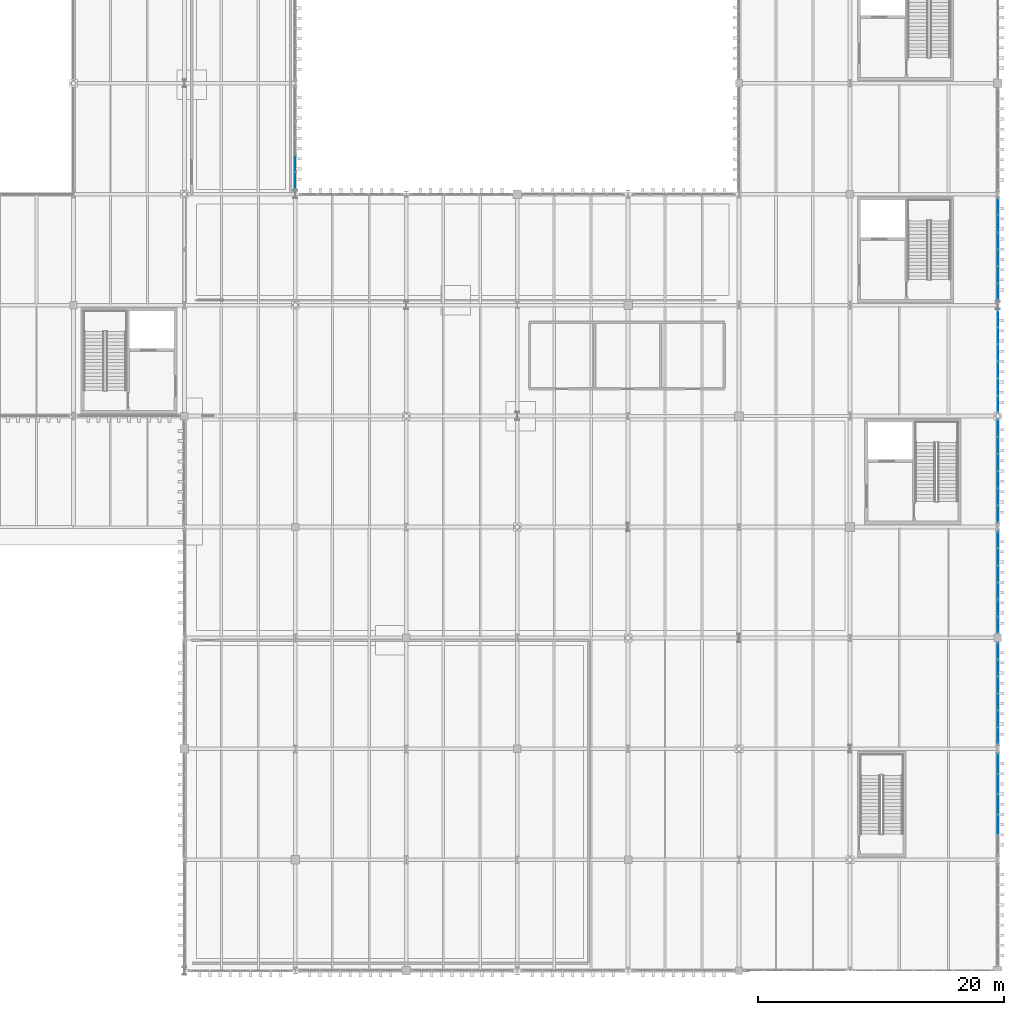
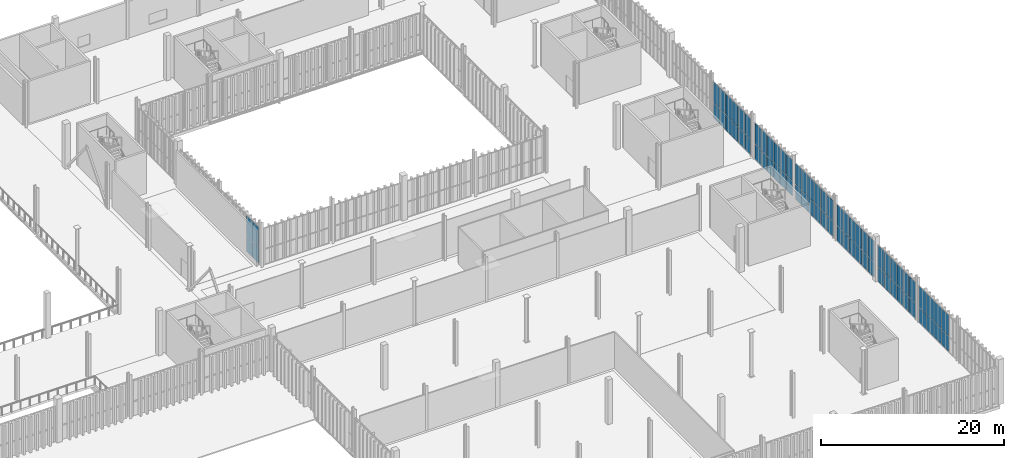
# One storey, part 162 of 211: 72 plates, 7 elements without a shape of their own.
"""IFC4 building model written with IfcOpenShell, lengths in metres."""

from ifc_helpers import new_model, si_unit, direction, frame, origin, origin_2d, place, context, subcontext, project, spatial, rectangle, extrude, material, layer, layer_set, type_object, element, aggregate, save


model = new_model("IFC4")

# Units and contexts
model_context = context("Model", 3, precision=1e-05, world=origin(), true_north=direction((0.0, 1.0)))
body_context = subcontext(model_context, "Body", "Model", "MODEL_VIEW")
ifc_project = project(units=[si_unit("LENGTHUNIT", "METRE"), si_unit("AREAUNIT", "SQUARE_METRE"), si_unit("VOLUMEUNIT", "CUBIC_METRE"), si_unit("PLANEANGLEUNIT", "RADIAN"), si_unit("MASSUNIT", "GRAM", prefix="KILO")], contexts=[model_context])

# Site, building, storey
site_placement = place(None, origin())
site = spatial("IfcSite", under=ifc_project, at=site_placement, CompositionType="ELEMENT")
building_placement = place(site_placement, origin())
building = spatial("IfcBuilding", under=site, at=building_placement, Name="Barlavento Convention Centre", CompositionType="ELEMENT")
storey_placement = place(building_placement, frame((0.0, 0.0, 6.0)))
storey = spatial("IfcBuildingStorey", under=building, at=storey_placement, Name="L01", CompositionType="ELEMENT", Elevation=6.0)

# Curtain wall, plates
ifc_material_1 = material(Name="Powder-coated aluminium and Low-E glass", Category="aluminium")
ifc_layer_1 = layer(ifc_material_1, 0.195068359375)
ifc_layer_set_1 = layer_set([ifc_layer_1], Name="ARC-CW-FOY-L01")
curtain_wall_type_1 = type_object("IfcCurtainWallType", Name="ARC-CW-FOY-L01", PredefinedType="NOTDEFINED", material=ifc_layer_set_1)
curtain_wall_1_placement = place(storey_placement, origin())
curtain_wall_1 = element("IfcCurtainWall", 1, at=curtain_wall_1_placement, inside=storey, type_object=curtain_wall_type_1, Name="L01 unitised curtain wall CW03", PredefinedType="NOTDEFINED")
ifc_material_2 = material(Name="Double-silver Low-E insulated glass", Category="glass")
ifc_layer_2 = layer(ifc_material_2, 0.028076171875)
ifc_layer_set_2 = layer_set([ifc_layer_2], Name="ARC-CWP-GLZ28")
plate_type = type_object("IfcPlateType", Name="ARC-CWP-GLZ28", PredefinedType="CURTAIN_PANEL", material=ifc_layer_set_2)
plate_1_placement = place(storey_placement, frame((192.0, 11.85498046875, 0.06005859375), z_axis=(0.0, 0.0, 1.0), x_axis=(0.0, 1.0, 0.0)))
plate_1 = element("IfcPlate", 2, at=plate_1_placement, type_object=plate_type, Name="CW03 panel 2.1", PredefinedType="CURTAIN_PANEL", context=body_context, shape_type="SweptSolid", body=[
    extrude(rectangle(XDim=1.590087890625, YDim=0.028076171875, at=origin_2d()), origin(), (0.0, 0.0, 1.0), 2.010009765625),
])
plate_2_placement = place(storey_placement, frame((192.0, 11.85498046875, 2.1298828125), z_axis=(0.0, 0.0, 1.0), x_axis=(0.0, 1.0, 0.0)))
plate_2 = element("IfcPlate", 3, at=plate_2_placement, type_object=plate_type, Name="CW03 panel 2.2", PredefinedType="CURTAIN_PANEL", context=body_context, shape_type="SweptSolid", body=[
    extrude(rectangle(XDim=1.590087890625, YDim=0.028076171875, at=origin_2d()), origin(), (0.0, 0.0, 1.0), 2.760009765625),
])
plate_3_placement = place(storey_placement, frame((192.0, 13.5048828125, 0.06005859375), z_axis=(0.0, 0.0, 1.0), x_axis=(0.0, 1.0, 0.0)))
plate_3 = element("IfcPlate", 4, at=plate_3_placement, type_object=plate_type, Name="CW03 panel 3.1", PredefinedType="CURTAIN_PANEL", context=body_context, shape_type="SweptSolid", body=[
    extrude(rectangle(XDim=1.590087890625, YDim=0.028076171875, at=origin_2d()), origin(), (0.0, 0.0, 1.0), 2.010009765625),
])
plate_4_placement = place(storey_placement, frame((192.0, 13.5048828125, 2.1298828125), z_axis=(0.0, 0.0, 1.0), x_axis=(0.0, 1.0, 0.0)))
plate_4 = element("IfcPlate", 5, at=plate_4_placement, type_object=plate_type, Name="CW03 panel 3.2", PredefinedType="CURTAIN_PANEL", context=body_context, shape_type="SweptSolid", body=[
    extrude(rectangle(XDim=1.590087890625, YDim=0.028076171875, at=origin_2d()), origin(), (0.0, 0.0, 1.0), 2.760009765625),
])
plate_5_placement = place(storey_placement, frame((192.0, 15.155029296875, 0.06005859375), z_axis=(0.0, 0.0, 1.0), x_axis=(0.0, 1.0, 0.0)))
plate_5 = element("IfcPlate", 6, at=plate_5_placement, type_object=plate_type, Name="CW03 panel 4.1", PredefinedType="CURTAIN_PANEL", context=body_context, shape_type="SweptSolid", body=[
    extrude(rectangle(XDim=1.590087890625, YDim=0.028076171875, at=origin_2d()), origin(), (0.0, 0.0, 1.0), 2.010009765625),
])
plate_6_placement = place(storey_placement, frame((192.0, 15.155029296875, 2.1298828125), z_axis=(0.0, 0.0, 1.0), x_axis=(0.0, 1.0, 0.0)))
plate_6 = element("IfcPlate", 7, at=plate_6_placement, type_object=plate_type, Name="CW03 panel 4.2", PredefinedType="CURTAIN_PANEL", context=body_context, shape_type="SweptSolid", body=[
    extrude(rectangle(XDim=1.590087890625, YDim=0.028076171875, at=origin_2d()), origin(), (0.0, 0.0, 1.0), 2.760009765625),
])
plate_7_placement = place(storey_placement, frame((192.0, 16.7900390625, 0.06005859375), z_axis=(0.0, 0.0, 1.0), x_axis=(0.0, 1.0, 0.0)))
plate_7 = element("IfcPlate", 8, at=plate_7_placement, type_object=plate_type, Name="CW03 panel 5.1", PredefinedType="CURTAIN_PANEL", context=body_context, shape_type="SweptSolid", body=[
    extrude(rectangle(XDim=1.56005859375, YDim=0.028076171875, at=origin_2d()), origin(), (0.0, 0.0, 1.0), 2.010009765625),
])
plate_8_placement = place(storey_placement, frame((192.0, 16.7900390625, 2.1298828125), z_axis=(0.0, 0.0, 1.0), x_axis=(0.0, 1.0, 0.0)))
plate_8 = element("IfcPlate", 9, at=plate_8_placement, type_object=plate_type, Name="CW03 panel 5.2", PredefinedType="CURTAIN_PANEL", context=body_context, shape_type="SweptSolid", body=[
    extrude(rectangle(XDim=1.56005859375, YDim=0.028076171875, at=origin_2d()), origin(), (0.0, 0.0, 1.0), 2.760009765625),
])
aggregate(curtain_wall_1, [plate_1, plate_2, plate_3, plate_4, plate_5, plate_6, plate_7, plate_8])

curtain_wall_2_placement = place(storey_placement, origin())
curtain_wall_2 = element("IfcCurtainWall", 10, at=curtain_wall_2_placement, inside=storey, type_object=curtain_wall_type_1, Name="L01 unitised curtain wall CW03", PredefinedType="NOTDEFINED")
plate_9_placement = place(storey_placement, frame((192.0, 19.0732421875, 0.06005859375), z_axis=(0.0, 0.0, 1.0), x_axis=(0.0, 1.0, 0.0)))
plate_9 = element("IfcPlate", 11, at=plate_9_placement, type_object=plate_type, Name="CW03 panel 1.1", PredefinedType="CURTAIN_PANEL", context=body_context, shape_type="SweptSolid", body=[
    extrude(rectangle(XDim=1.28662109375, YDim=0.028076171875, at=origin_2d()), origin(), (0.0, 0.0, 1.0), 2.010009765625),
])
plate_10_placement = place(storey_placement, frame((192.0, 19.0732421875, 2.1298828125), z_axis=(0.0, 0.0, 1.0), x_axis=(0.0, 1.0, 0.0)))
plate_10 = element("IfcPlate", 12, at=plate_10_placement, type_object=plate_type, Name="CW03 panel 1.2", PredefinedType="CURTAIN_PANEL", context=body_context, shape_type="SweptSolid", body=[
    extrude(rectangle(XDim=1.28662109375, YDim=0.028076171875, at=origin_2d()), origin(), (0.0, 0.0, 1.0), 2.760009765625),
])
plate_11_placement = place(storey_placement, frame((192.0, 20.43505859375, 0.06005859375), z_axis=(0.0, 0.0, 1.0), x_axis=(0.0, 1.0, 0.0)))
plate_11 = element("IfcPlate", 13, at=plate_11_placement, type_object=plate_type, Name="CW03 panel 2.1", PredefinedType="CURTAIN_PANEL", context=body_context, shape_type="SweptSolid", body=[
    extrude(rectangle(XDim=1.316650390625, YDim=0.028076171875, at=origin_2d()), origin(), (0.0, 0.0, 1.0), 2.010009765625),
])
plate_12_placement = place(storey_placement, frame((192.0, 20.43505859375, 2.1298828125), z_axis=(0.0, 0.0, 1.0), x_axis=(0.0, 1.0, 0.0)))
plate_12 = element("IfcPlate", 14, at=plate_12_placement, type_object=plate_type, Name="CW03 panel 2.2", PredefinedType="CURTAIN_PANEL", context=body_context, shape_type="SweptSolid", body=[
    extrude(rectangle(XDim=1.316650390625, YDim=0.028076171875, at=origin_2d()), origin(), (0.0, 0.0, 1.0), 2.760009765625),
])
plate_13_placement = place(storey_placement, frame((192.0, 21.811767578125, 0.06005859375), z_axis=(0.0, 0.0, 1.0), x_axis=(0.0, 1.0, 0.0)))
plate_13 = element("IfcPlate", 15, at=plate_13_placement, type_object=plate_type, Name="CW03 panel 3.1", PredefinedType="CURTAIN_PANEL", context=body_context, shape_type="SweptSolid", body=[
    extrude(rectangle(XDim=1.316650390625, YDim=0.028076171875, at=origin_2d()), origin(), (0.0, 0.0, 1.0), 2.010009765625),
])
plate_14_placement = place(storey_placement, frame((192.0, 21.811767578125, 2.1298828125), z_axis=(0.0, 0.0, 1.0), x_axis=(0.0, 1.0, 0.0)))
plate_14 = element("IfcPlate", 16, at=plate_14_placement, type_object=plate_type, Name="CW03 panel 3.2", PredefinedType="CURTAIN_PANEL", context=body_context, shape_type="SweptSolid", body=[
    extrude(rectangle(XDim=1.316650390625, YDim=0.028076171875, at=origin_2d()), origin(), (0.0, 0.0, 1.0), 2.760009765625),
])
plate_15_placement = place(storey_placement, frame((192.0, 23.188232421875, 0.06005859375), z_axis=(0.0, 0.0, 1.0), x_axis=(0.0, 1.0, 0.0)))
plate_15 = element("IfcPlate", 17, at=plate_15_placement, type_object=plate_type, Name="CW03 panel 4.1", PredefinedType="CURTAIN_PANEL", context=body_context, shape_type="SweptSolid", body=[
    extrude(rectangle(XDim=1.316650390625, YDim=0.028076171875, at=origin_2d()), origin(), (0.0, 0.0, 1.0), 2.010009765625),
])
plate_16_placement = place(storey_placement, frame((192.0, 23.188232421875, 2.1298828125), z_axis=(0.0, 0.0, 1.0), x_axis=(0.0, 1.0, 0.0)))
plate_16 = element("IfcPlate", 18, at=plate_16_placement, type_object=plate_type, Name="CW03 panel 4.2", PredefinedType="CURTAIN_PANEL", context=body_context, shape_type="SweptSolid", body=[
    extrude(rectangle(XDim=1.316650390625, YDim=0.028076171875, at=origin_2d()), origin(), (0.0, 0.0, 1.0), 2.760009765625),
])
plate_17_placement = place(storey_placement, frame((192.0, 24.56494140625, 0.06005859375), z_axis=(0.0, 0.0, 1.0), x_axis=(0.0, 1.0, 0.0)))
plate_17 = element("IfcPlate", 19, at=plate_17_placement, type_object=plate_type, Name="CW03 panel 5.1", PredefinedType="CURTAIN_PANEL", context=body_context, shape_type="SweptSolid", body=[
    extrude(rectangle(XDim=1.316650390625, YDim=0.028076171875, at=origin_2d()), origin(), (0.0, 0.0, 1.0), 2.010009765625),
])
plate_18_placement = place(storey_placement, frame((192.0, 24.56494140625, 2.1298828125), z_axis=(0.0, 0.0, 1.0), x_axis=(0.0, 1.0, 0.0)))
plate_18 = element("IfcPlate", 20, at=plate_18_placement, type_object=plate_type, Name="CW03 panel 5.2", PredefinedType="CURTAIN_PANEL", context=body_context, shape_type="SweptSolid", body=[
    extrude(rectangle(XDim=1.316650390625, YDim=0.028076171875, at=origin_2d()), origin(), (0.0, 0.0, 1.0), 2.760009765625),
])
plate_19_placement = place(storey_placement, frame((192.0, 25.9267578125, 0.06005859375), z_axis=(0.0, 0.0, 1.0), x_axis=(0.0, 1.0, 0.0)))
plate_19 = element("IfcPlate", 21, at=plate_19_placement, type_object=plate_type, Name="CW03 panel 6.1", PredefinedType="CURTAIN_PANEL", context=body_context, shape_type="SweptSolid", body=[
    extrude(rectangle(XDim=1.28662109375, YDim=0.028076171875, at=origin_2d()), origin(), (0.0, 0.0, 1.0), 2.010009765625),
])
plate_20_placement = place(storey_placement, frame((192.0, 25.9267578125, 2.1298828125), z_axis=(0.0, 0.0, 1.0), x_axis=(0.0, 1.0, 0.0)))
plate_20 = element("IfcPlate", 22, at=plate_20_placement, type_object=plate_type, Name="CW03 panel 6.2", PredefinedType="CURTAIN_PANEL", context=body_context, shape_type="SweptSolid", body=[
    extrude(rectangle(XDim=1.28662109375, YDim=0.028076171875, at=origin_2d()), origin(), (0.0, 0.0, 1.0), 2.760009765625),
])
aggregate(curtain_wall_2, [plate_9, plate_10, plate_11, plate_12, plate_13, plate_14, plate_15, plate_16, plate_17, plate_18, plate_19, plate_20])

curtain_wall_3_placement = place(storey_placement, origin())
curtain_wall_3 = element("IfcCurtainWall", 23, at=curtain_wall_3_placement, inside=storey, type_object=curtain_wall_type_1, Name="L01 unitised curtain wall CW03", PredefinedType="NOTDEFINED")
plate_21_placement = place(storey_placement, frame((192.0, 28.074462890625, 0.06005859375), z_axis=(0.0, 0.0, 1.0), x_axis=(0.0, 1.0, 0.0)))
plate_21 = element("IfcPlate", 24, at=plate_21_placement, type_object=plate_type, Name="CW03 panel 1.1", PredefinedType="CURTAIN_PANEL", context=body_context, shape_type="SweptSolid", body=[
    extrude(rectangle(XDim=1.2890625, YDim=0.028076171875, at=origin_2d()), origin(), (0.0, 0.0, 1.0), 2.010009765625),
])
plate_22_placement = place(storey_placement, frame((192.0, 28.074462890625, 2.1298828125), z_axis=(0.0, 0.0, 1.0), x_axis=(0.0, 1.0, 0.0)))
plate_22 = element("IfcPlate", 25, at=plate_22_placement, type_object=plate_type, Name="CW03 panel 1.2", PredefinedType="CURTAIN_PANEL", context=body_context, shape_type="SweptSolid", body=[
    extrude(rectangle(XDim=1.2890625, YDim=0.028076171875, at=origin_2d()), origin(), (0.0, 0.0, 1.0), 2.760009765625),
])
plate_23_placement = place(storey_placement, frame((192.0, 29.4384765625, 0.06005859375), z_axis=(0.0, 0.0, 1.0), x_axis=(0.0, 1.0, 0.0)))
plate_23 = element("IfcPlate", 26, at=plate_23_placement, type_object=plate_type, Name="CW03 panel 2.1", PredefinedType="CURTAIN_PANEL", context=body_context, shape_type="SweptSolid", body=[
    extrude(rectangle(XDim=1.319091796875, YDim=0.028076171875, at=origin_2d()), origin(), (0.0, 0.0, 1.0), 2.010009765625),
])
plate_24_placement = place(storey_placement, frame((192.0, 29.4384765625, 2.1298828125), z_axis=(0.0, 0.0, 1.0), x_axis=(0.0, 1.0, 0.0)))
plate_24 = element("IfcPlate", 27, at=plate_24_placement, type_object=plate_type, Name="CW03 panel 2.2", PredefinedType="CURTAIN_PANEL", context=body_context, shape_type="SweptSolid", body=[
    extrude(rectangle(XDim=1.319091796875, YDim=0.028076171875, at=origin_2d()), origin(), (0.0, 0.0, 1.0), 2.760009765625),
])
plate_25_placement = place(storey_placement, frame((192.0, 30.8173828125, 0.06005859375), z_axis=(0.0, 0.0, 1.0), x_axis=(0.0, 1.0, 0.0)))
plate_25 = element("IfcPlate", 28, at=plate_25_placement, type_object=plate_type, Name="CW03 panel 3.1", PredefinedType="CURTAIN_PANEL", context=body_context, shape_type="SweptSolid", body=[
    extrude(rectangle(XDim=1.319091796875, YDim=0.028076171875, at=origin_2d()), origin(), (0.0, 0.0, 1.0), 2.010009765625),
])
plate_26_placement = place(storey_placement, frame((192.0, 30.8173828125, 2.1298828125), z_axis=(0.0, 0.0, 1.0), x_axis=(0.0, 1.0, 0.0)))
plate_26 = element("IfcPlate", 29, at=plate_26_placement, type_object=plate_type, Name="CW03 panel 3.2", PredefinedType="CURTAIN_PANEL", context=body_context, shape_type="SweptSolid", body=[
    extrude(rectangle(XDim=1.319091796875, YDim=0.028076171875, at=origin_2d()), origin(), (0.0, 0.0, 1.0), 2.760009765625),
])
plate_27_placement = place(storey_placement, frame((192.0, 32.196533203125, 0.06005859375), z_axis=(0.0, 0.0, 1.0), x_axis=(0.0, 1.0, 0.0)))
plate_27 = element("IfcPlate", 30, at=plate_27_placement, type_object=plate_type, Name="CW03 panel 4.1", PredefinedType="CURTAIN_PANEL", context=body_context, shape_type="SweptSolid", body=[
    extrude(rectangle(XDim=1.319091796875, YDim=0.028076171875, at=origin_2d()), origin(), (0.0, 0.0, 1.0), 2.010009765625),
])
plate_28_placement = place(storey_placement, frame((192.0, 32.196533203125, 2.1298828125), z_axis=(0.0, 0.0, 1.0), x_axis=(0.0, 1.0, 0.0)))
plate_28 = element("IfcPlate", 31, at=plate_28_placement, type_object=plate_type, Name="CW03 panel 4.2", PredefinedType="CURTAIN_PANEL", context=body_context, shape_type="SweptSolid", body=[
    extrude(rectangle(XDim=1.319091796875, YDim=0.028076171875, at=origin_2d()), origin(), (0.0, 0.0, 1.0), 2.760009765625),
])
plate_29_placement = place(storey_placement, frame((192.0, 33.575439453125, 0.06005859375), z_axis=(0.0, 0.0, 1.0), x_axis=(0.0, 1.0, 0.0)))
plate_29 = element("IfcPlate", 32, at=plate_29_placement, type_object=plate_type, Name="CW03 panel 5.1", PredefinedType="CURTAIN_PANEL", context=body_context, shape_type="SweptSolid", body=[
    extrude(rectangle(XDim=1.319091796875, YDim=0.028076171875, at=origin_2d()), origin(), (0.0, 0.0, 1.0), 2.010009765625),
])
plate_30_placement = place(storey_placement, frame((192.0, 33.575439453125, 2.1298828125), z_axis=(0.0, 0.0, 1.0), x_axis=(0.0, 1.0, 0.0)))
plate_30 = element("IfcPlate", 33, at=plate_30_placement, type_object=plate_type, Name="CW03 panel 5.2", PredefinedType="CURTAIN_PANEL", context=body_context, shape_type="SweptSolid", body=[
    extrude(rectangle(XDim=1.319091796875, YDim=0.028076171875, at=origin_2d()), origin(), (0.0, 0.0, 1.0), 2.760009765625),
])
plate_31_placement = place(storey_placement, frame((192.0, 34.939453125, 0.06005859375), z_axis=(0.0, 0.0, 1.0), x_axis=(0.0, 1.0, 0.0)))
plate_31 = element("IfcPlate", 34, at=plate_31_placement, type_object=plate_type, Name="CW03 panel 6.1", PredefinedType="CURTAIN_PANEL", context=body_context, shape_type="SweptSolid", body=[
    extrude(rectangle(XDim=1.2890625, YDim=0.028076171875, at=origin_2d()), origin(), (0.0, 0.0, 1.0), 2.010009765625),
])
plate_32_placement = place(storey_placement, frame((192.0, 34.939453125, 2.1298828125), z_axis=(0.0, 0.0, 1.0), x_axis=(0.0, 1.0, 0.0)))
plate_32 = element("IfcPlate", 35, at=plate_32_placement, type_object=plate_type, Name="CW03 panel 6.2", PredefinedType="CURTAIN_PANEL", context=body_context, shape_type="SweptSolid", body=[
    extrude(rectangle(XDim=1.2890625, YDim=0.028076171875, at=origin_2d()), origin(), (0.0, 0.0, 1.0), 2.760009765625),
])
aggregate(curtain_wall_3, [plate_21, plate_22, plate_23, plate_24, plate_25, plate_26, plate_27, plate_28, plate_29, plate_30, plate_31, plate_32])

curtain_wall_4_placement = place(storey_placement, origin())
curtain_wall_4 = element("IfcCurtainWall", 36, at=curtain_wall_4_placement, inside=storey, type_object=curtain_wall_type_1, Name="L01 unitised curtain wall CW03", PredefinedType="NOTDEFINED")
plate_33_placement = place(storey_placement, frame((192.0, 37.068603515625, 0.06005859375), z_axis=(0.0, 0.0, 1.0), x_axis=(0.0, 1.0, 0.0)))
plate_33 = element("IfcPlate", 37, at=plate_33_placement, type_object=plate_type, Name="CW03 panel 1.1", PredefinedType="CURTAIN_PANEL", context=body_context, shape_type="SweptSolid", body=[
    extrude(rectangle(XDim=1.30517578125, YDim=0.028076171875, at=origin_2d()), origin(), (0.0, 0.0, 1.0), 2.010009765625),
])
plate_34_placement = place(storey_placement, frame((192.0, 37.068603515625, 2.1298828125), z_axis=(0.0, 0.0, 1.0), x_axis=(0.0, 1.0, 0.0)))
plate_34 = element("IfcPlate", 38, at=plate_34_placement, type_object=plate_type, Name="CW03 panel 1.2", PredefinedType="CURTAIN_PANEL", context=body_context, shape_type="SweptSolid", body=[
    extrude(rectangle(XDim=1.30517578125, YDim=0.028076171875, at=origin_2d()), origin(), (0.0, 0.0, 1.0), 2.760009765625),
])
plate_35_placement = place(storey_placement, frame((192.0, 38.44873046875, 0.06005859375), z_axis=(0.0, 0.0, 1.0), x_axis=(0.0, 1.0, 0.0)))
plate_35 = element("IfcPlate", 39, at=plate_35_placement, type_object=plate_type, Name="CW03 panel 2.1", PredefinedType="CURTAIN_PANEL", context=body_context, shape_type="SweptSolid", body=[
    extrude(rectangle(XDim=1.335205078125, YDim=0.028076171875, at=origin_2d()), origin(), (0.0, 0.0, 1.0), 2.010009765625),
])
plate_36_placement = place(storey_placement, frame((192.0, 38.44873046875, 2.1298828125), z_axis=(0.0, 0.0, 1.0), x_axis=(0.0, 1.0, 0.0)))
plate_36 = element("IfcPlate", 40, at=plate_36_placement, type_object=plate_type, Name="CW03 panel 2.2", PredefinedType="CURTAIN_PANEL", context=body_context, shape_type="SweptSolid", body=[
    extrude(rectangle(XDim=1.335205078125, YDim=0.028076171875, at=origin_2d()), origin(), (0.0, 0.0, 1.0), 2.760009765625),
])
plate_37_placement = place(storey_placement, frame((192.0, 39.84375, 0.06005859375), z_axis=(0.0, 0.0, 1.0), x_axis=(0.0, 1.0, 0.0)))
plate_37 = element("IfcPlate", 41, at=plate_37_placement, type_object=plate_type, Name="CW03 panel 3.1", PredefinedType="CURTAIN_PANEL", context=body_context, shape_type="SweptSolid", body=[
    extrude(rectangle(XDim=1.335205078125, YDim=0.028076171875, at=origin_2d()), origin(), (0.0, 0.0, 1.0), 2.010009765625),
])
plate_38_placement = place(storey_placement, frame((192.0, 39.84375, 2.1298828125), z_axis=(0.0, 0.0, 1.0), x_axis=(0.0, 1.0, 0.0)))
plate_38 = element("IfcPlate", 42, at=plate_38_placement, type_object=plate_type, Name="CW03 panel 3.2", PredefinedType="CURTAIN_PANEL", context=body_context, shape_type="SweptSolid", body=[
    extrude(rectangle(XDim=1.335205078125, YDim=0.028076171875, at=origin_2d()), origin(), (0.0, 0.0, 1.0), 2.760009765625),
])
plate_39_placement = place(storey_placement, frame((192.0, 41.239013671875, 0.06005859375), z_axis=(0.0, 0.0, 1.0), x_axis=(0.0, 1.0, 0.0)))
plate_39 = element("IfcPlate", 43, at=plate_39_placement, type_object=plate_type, Name="CW03 panel 4.1", PredefinedType="CURTAIN_PANEL", context=body_context, shape_type="SweptSolid", body=[
    extrude(rectangle(XDim=1.335205078125, YDim=0.028076171875, at=origin_2d()), origin(), (0.0, 0.0, 1.0), 2.010009765625),
])
plate_40_placement = place(storey_placement, frame((192.0, 41.239013671875, 2.1298828125), z_axis=(0.0, 0.0, 1.0), x_axis=(0.0, 1.0, 0.0)))
plate_40 = element("IfcPlate", 44, at=plate_40_placement, type_object=plate_type, Name="CW03 panel 4.2", PredefinedType="CURTAIN_PANEL", context=body_context, shape_type="SweptSolid", body=[
    extrude(rectangle(XDim=1.335205078125, YDim=0.028076171875, at=origin_2d()), origin(), (0.0, 0.0, 1.0), 2.760009765625),
])
plate_41_placement = place(storey_placement, frame((192.0, 42.634033203125, 0.06005859375), z_axis=(0.0, 0.0, 1.0), x_axis=(0.0, 1.0, 0.0)))
plate_41 = element("IfcPlate", 45, at=plate_41_placement, type_object=plate_type, Name="CW03 panel 5.1", PredefinedType="CURTAIN_PANEL", context=body_context, shape_type="SweptSolid", body=[
    extrude(rectangle(XDim=1.335205078125, YDim=0.028076171875, at=origin_2d()), origin(), (0.0, 0.0, 1.0), 2.010009765625),
])
plate_42_placement = place(storey_placement, frame((192.0, 42.634033203125, 2.1298828125), z_axis=(0.0, 0.0, 1.0), x_axis=(0.0, 1.0, 0.0)))
plate_42 = element("IfcPlate", 46, at=plate_42_placement, type_object=plate_type, Name="CW03 panel 5.2", PredefinedType="CURTAIN_PANEL", context=body_context, shape_type="SweptSolid", body=[
    extrude(rectangle(XDim=1.335205078125, YDim=0.028076171875, at=origin_2d()), origin(), (0.0, 0.0, 1.0), 2.760009765625),
])
plate_43_placement = place(storey_placement, frame((192.0, 44.01416015625, 0.06005859375), z_axis=(0.0, 0.0, 1.0), x_axis=(0.0, 1.0, 0.0)))
plate_43 = element("IfcPlate", 47, at=plate_43_placement, type_object=plate_type, Name="CW03 panel 6.1", PredefinedType="CURTAIN_PANEL", context=body_context, shape_type="SweptSolid", body=[
    extrude(rectangle(XDim=1.30517578125, YDim=0.028076171875, at=origin_2d()), origin(), (0.0, 0.0, 1.0), 2.010009765625),
])
plate_44_placement = place(storey_placement, frame((192.0, 44.01416015625, 2.1298828125), z_axis=(0.0, 0.0, 1.0), x_axis=(0.0, 1.0, 0.0)))
plate_44 = element("IfcPlate", 48, at=plate_44_placement, type_object=plate_type, Name="CW03 panel 6.2", PredefinedType="CURTAIN_PANEL", context=body_context, shape_type="SweptSolid", body=[
    extrude(rectangle(XDim=1.30517578125, YDim=0.028076171875, at=origin_2d()), origin(), (0.0, 0.0, 1.0), 2.760009765625),
])
aggregate(curtain_wall_4, [plate_33, plate_34, plate_35, plate_36, plate_37, plate_38, plate_39, plate_40, plate_41, plate_42, plate_43, plate_44])

curtain_wall_5_placement = place(storey_placement, origin())
curtain_wall_5 = element("IfcCurtainWall", 49, at=curtain_wall_5_placement, inside=storey, type_object=curtain_wall_type_1, Name="L01 unitised curtain wall CW03", PredefinedType="NOTDEFINED")
plate_45_placement = place(storey_placement, frame((192.0, 45.981689453125, 0.06005859375), z_axis=(0.0, 0.0, 1.0), x_axis=(0.0, 1.0, 0.0)))
plate_45 = element("IfcPlate", 50, at=plate_45_placement, type_object=plate_type, Name="CW03 panel 1.1", PredefinedType="CURTAIN_PANEL", context=body_context, shape_type="SweptSolid", body=[
    extrude(rectangle(XDim=1.297119140625, YDim=0.028076171875, at=origin_2d()), origin(), (0.0, 0.0, 1.0), 2.010009765625),
])
plate_46_placement = place(storey_placement, frame((192.0, 45.981689453125, 2.1298828125), z_axis=(0.0, 0.0, 1.0), x_axis=(0.0, 1.0, 0.0)))
plate_46 = element("IfcPlate", 51, at=plate_46_placement, type_object=plate_type, Name="CW03 panel 1.2", PredefinedType="CURTAIN_PANEL", context=body_context, shape_type="SweptSolid", body=[
    extrude(rectangle(XDim=1.297119140625, YDim=0.028076171875, at=origin_2d()), origin(), (0.0, 0.0, 1.0), 2.760009765625),
])
plate_47_placement = place(storey_placement, frame((192.0, 47.35400390625, 0.06005859375), z_axis=(0.0, 0.0, 1.0), x_axis=(0.0, 1.0, 0.0)))
plate_47 = element("IfcPlate", 52, at=plate_47_placement, type_object=plate_type, Name="CW03 panel 2.1", PredefinedType="CURTAIN_PANEL", context=body_context, shape_type="SweptSolid", body=[
    extrude(rectangle(XDim=1.3271484375, YDim=0.028076171875, at=origin_2d()), origin(), (0.0, 0.0, 1.0), 2.010009765625),
])
plate_48_placement = place(storey_placement, frame((192.0, 47.35400390625, 2.1298828125), z_axis=(0.0, 0.0, 1.0), x_axis=(0.0, 1.0, 0.0)))
plate_48 = element("IfcPlate", 53, at=plate_48_placement, type_object=plate_type, Name="CW03 panel 2.2", PredefinedType="CURTAIN_PANEL", context=body_context, shape_type="SweptSolid", body=[
    extrude(rectangle(XDim=1.3271484375, YDim=0.028076171875, at=origin_2d()), origin(), (0.0, 0.0, 1.0), 2.760009765625),
])
plate_49_placement = place(storey_placement, frame((192.0, 48.740966796875, 0.06005859375), z_axis=(0.0, 0.0, 1.0), x_axis=(0.0, 1.0, 0.0)))
plate_49 = element("IfcPlate", 54, at=plate_49_placement, type_object=plate_type, Name="CW03 panel 3.1", PredefinedType="CURTAIN_PANEL", context=body_context, shape_type="SweptSolid", body=[
    extrude(rectangle(XDim=1.3271484375, YDim=0.028076171875, at=origin_2d()), origin(), (0.0, 0.0, 1.0), 2.010009765625),
])
plate_50_placement = place(storey_placement, frame((192.0, 48.740966796875, 2.1298828125), z_axis=(0.0, 0.0, 1.0), x_axis=(0.0, 1.0, 0.0)))
plate_50 = element("IfcPlate", 55, at=plate_50_placement, type_object=plate_type, Name="CW03 panel 3.2", PredefinedType="CURTAIN_PANEL", context=body_context, shape_type="SweptSolid", body=[
    extrude(rectangle(XDim=1.3271484375, YDim=0.028076171875, at=origin_2d()), origin(), (0.0, 0.0, 1.0), 2.760009765625),
])
plate_51_placement = place(storey_placement, frame((192.0, 50.128173828125, 0.06005859375), z_axis=(0.0, 0.0, 1.0), x_axis=(0.0, 1.0, 0.0)))
plate_51 = element("IfcPlate", 56, at=plate_51_placement, type_object=plate_type, Name="CW03 panel 4.1", PredefinedType="CURTAIN_PANEL", context=body_context, shape_type="SweptSolid", body=[
    extrude(rectangle(XDim=1.3271484375, YDim=0.028076171875, at=origin_2d()), origin(), (0.0, 0.0, 1.0), 2.010009765625),
])
plate_52_placement = place(storey_placement, frame((192.0, 50.128173828125, 2.1298828125), z_axis=(0.0, 0.0, 1.0), x_axis=(0.0, 1.0, 0.0)))
plate_52 = element("IfcPlate", 57, at=plate_52_placement, type_object=plate_type, Name="CW03 panel 4.2", PredefinedType="CURTAIN_PANEL", context=body_context, shape_type="SweptSolid", body=[
    extrude(rectangle(XDim=1.3271484375, YDim=0.028076171875, at=origin_2d()), origin(), (0.0, 0.0, 1.0), 2.760009765625),
])
plate_53_placement = place(storey_placement, frame((192.0, 51.515380859375, 0.06005859375), z_axis=(0.0, 0.0, 1.0), x_axis=(0.0, 1.0, 0.0)))
plate_53 = element("IfcPlate", 58, at=plate_53_placement, type_object=plate_type, Name="CW03 panel 5.1", PredefinedType="CURTAIN_PANEL", context=body_context, shape_type="SweptSolid", body=[
    extrude(rectangle(XDim=1.3271484375, YDim=0.028076171875, at=origin_2d()), origin(), (0.0, 0.0, 1.0), 2.010009765625),
])
plate_54_placement = place(storey_placement, frame((192.0, 51.515380859375, 2.1298828125), z_axis=(0.0, 0.0, 1.0), x_axis=(0.0, 1.0, 0.0)))
plate_54 = element("IfcPlate", 59, at=plate_54_placement, type_object=plate_type, Name="CW03 panel 5.2", PredefinedType="CURTAIN_PANEL", context=body_context, shape_type="SweptSolid", body=[
    extrude(rectangle(XDim=1.3271484375, YDim=0.028076171875, at=origin_2d()), origin(), (0.0, 0.0, 1.0), 2.760009765625),
])
plate_55_placement = place(storey_placement, frame((192.0, 52.887451171875, 0.06005859375), z_axis=(0.0, 0.0, 1.0), x_axis=(0.0, 1.0, 0.0)))
plate_55 = element("IfcPlate", 60, at=plate_55_placement, type_object=plate_type, Name="CW03 panel 6.1", PredefinedType="CURTAIN_PANEL", context=body_context, shape_type="SweptSolid", body=[
    extrude(rectangle(XDim=1.297119140625, YDim=0.028076171875, at=origin_2d()), origin(), (0.0, 0.0, 1.0), 2.010009765625),
])
plate_56_placement = place(storey_placement, frame((192.0, 52.887451171875, 2.1298828125), z_axis=(0.0, 0.0, 1.0), x_axis=(0.0, 1.0, 0.0)))
plate_56 = element("IfcPlate", 61, at=plate_56_placement, type_object=plate_type, Name="CW03 panel 6.2", PredefinedType="CURTAIN_PANEL", context=body_context, shape_type="SweptSolid", body=[
    extrude(rectangle(XDim=1.297119140625, YDim=0.028076171875, at=origin_2d()), origin(), (0.0, 0.0, 1.0), 2.760009765625),
])
aggregate(curtain_wall_5, [plate_45, plate_46, plate_47, plate_48, plate_49, plate_50, plate_51, plate_52, plate_53, plate_54, plate_55, plate_56])

curtain_wall_6_placement = place(storey_placement, origin())
curtain_wall_6 = element("IfcCurtainWall", 62, at=curtain_wall_6_placement, inside=storey, type_object=curtain_wall_type_1, Name="L01 unitised curtain wall CW03", PredefinedType="NOTDEFINED")
plate_57_placement = place(storey_placement, frame((192.0, 55.107666015625, 0.06005859375), z_axis=(0.0, 0.0, 1.0), x_axis=(0.0, 1.0, 0.0)))
plate_57 = element("IfcPlate", 63, at=plate_57_placement, type_object=plate_type, Name="CW03 panel 1.1", PredefinedType="CURTAIN_PANEL", context=body_context, shape_type="SweptSolid", body=[
    extrude(rectangle(XDim=1.287353515625, YDim=0.028076171875, at=origin_2d()), origin(), (0.0, 0.0, 1.0), 2.010009765625),
])
plate_58_placement = place(storey_placement, frame((192.0, 55.107666015625, 2.1298828125), z_axis=(0.0, 0.0, 1.0), x_axis=(0.0, 1.0, 0.0)))
plate_58 = element("IfcPlate", 64, at=plate_58_placement, type_object=plate_type, Name="CW03 panel 1.2", PredefinedType="CURTAIN_PANEL", context=body_context, shape_type="SweptSolid", body=[
    extrude(rectangle(XDim=1.287353515625, YDim=0.028076171875, at=origin_2d()), origin(), (0.0, 0.0, 1.0), 2.760009765625),
])
plate_59_placement = place(storey_placement, frame((192.0, 56.469970703125, 0.06005859375), z_axis=(0.0, 0.0, 1.0), x_axis=(0.0, 1.0, 0.0)))
plate_59 = element("IfcPlate", 65, at=plate_59_placement, type_object=plate_type, Name="CW03 panel 2.1", PredefinedType="CURTAIN_PANEL", context=body_context, shape_type="SweptSolid", body=[
    extrude(rectangle(XDim=1.3173828125, YDim=0.028076171875, at=origin_2d()), origin(), (0.0, 0.0, 1.0), 2.010009765625),
])
plate_60_placement = place(storey_placement, frame((192.0, 56.469970703125, 2.1298828125), z_axis=(0.0, 0.0, 1.0), x_axis=(0.0, 1.0, 0.0)))
plate_60 = element("IfcPlate", 66, at=plate_60_placement, type_object=plate_type, Name="CW03 panel 2.2", PredefinedType="CURTAIN_PANEL", context=body_context, shape_type="SweptSolid", body=[
    extrude(rectangle(XDim=1.3173828125, YDim=0.028076171875, at=origin_2d()), origin(), (0.0, 0.0, 1.0), 2.760009765625),
])
plate_61_placement = place(storey_placement, frame((192.0, 57.847412109375, 0.06005859375), z_axis=(0.0, 0.0, 1.0), x_axis=(0.0, 1.0, 0.0)))
plate_61 = element("IfcPlate", 67, at=plate_61_placement, type_object=plate_type, Name="CW03 panel 3.1", PredefinedType="CURTAIN_PANEL", context=body_context, shape_type="SweptSolid", body=[
    extrude(rectangle(XDim=1.3173828125, YDim=0.028076171875, at=origin_2d()), origin(), (0.0, 0.0, 1.0), 2.010009765625),
])
plate_62_placement = place(storey_placement, frame((192.0, 57.847412109375, 2.1298828125), z_axis=(0.0, 0.0, 1.0), x_axis=(0.0, 1.0, 0.0)))
plate_62 = element("IfcPlate", 68, at=plate_62_placement, type_object=plate_type, Name="CW03 panel 3.2", PredefinedType="CURTAIN_PANEL", context=body_context, shape_type="SweptSolid", body=[
    extrude(rectangle(XDim=1.3173828125, YDim=0.028076171875, at=origin_2d()), origin(), (0.0, 0.0, 1.0), 2.760009765625),
])
plate_63_placement = place(storey_placement, frame((192.0, 59.224609375, 0.06005859375), z_axis=(0.0, 0.0, 1.0), x_axis=(0.0, 1.0, 0.0)))
plate_63 = element("IfcPlate", 69, at=plate_63_placement, type_object=plate_type, Name="CW03 panel 4.1", PredefinedType="CURTAIN_PANEL", context=body_context, shape_type="SweptSolid", body=[
    extrude(rectangle(XDim=1.3173828125, YDim=0.028076171875, at=origin_2d()), origin(), (0.0, 0.0, 1.0), 2.010009765625),
])
plate_64_placement = place(storey_placement, frame((192.0, 59.224609375, 2.1298828125), z_axis=(0.0, 0.0, 1.0), x_axis=(0.0, 1.0, 0.0)))
plate_64 = element("IfcPlate", 70, at=plate_64_placement, type_object=plate_type, Name="CW03 panel 4.2", PredefinedType="CURTAIN_PANEL", context=body_context, shape_type="SweptSolid", body=[
    extrude(rectangle(XDim=1.3173828125, YDim=0.028076171875, at=origin_2d()), origin(), (0.0, 0.0, 1.0), 2.760009765625),
])
plate_65_placement = place(storey_placement, frame((192.0, 60.60205078125, 0.06005859375), z_axis=(0.0, 0.0, 1.0), x_axis=(0.0, 1.0, 0.0)))
plate_65 = element("IfcPlate", 71, at=plate_65_placement, type_object=plate_type, Name="CW03 panel 5.1", PredefinedType="CURTAIN_PANEL", context=body_context, shape_type="SweptSolid", body=[
    extrude(rectangle(XDim=1.3173828125, YDim=0.028076171875, at=origin_2d()), origin(), (0.0, 0.0, 1.0), 2.010009765625),
])
plate_66_placement = place(storey_placement, frame((192.0, 60.60205078125, 2.1298828125), z_axis=(0.0, 0.0, 1.0), x_axis=(0.0, 1.0, 0.0)))
plate_66 = element("IfcPlate", 72, at=plate_66_placement, type_object=plate_type, Name="CW03 panel 5.2", PredefinedType="CURTAIN_PANEL", context=body_context, shape_type="SweptSolid", body=[
    extrude(rectangle(XDim=1.3173828125, YDim=0.028076171875, at=origin_2d()), origin(), (0.0, 0.0, 1.0), 2.760009765625),
])
plate_67_placement = place(storey_placement, frame((192.0, 61.96435546875, 0.06005859375), z_axis=(0.0, 0.0, 1.0), x_axis=(0.0, 1.0, 0.0)))
plate_67 = element("IfcPlate", 73, at=plate_67_placement, type_object=plate_type, Name="CW03 panel 6.1", PredefinedType="CURTAIN_PANEL", context=body_context, shape_type="SweptSolid", body=[
    extrude(rectangle(XDim=1.287353515625, YDim=0.028076171875, at=origin_2d()), origin(), (0.0, 0.0, 1.0), 2.010009765625),
])
plate_68_placement = place(storey_placement, frame((192.0, 61.96435546875, 2.1298828125), z_axis=(0.0, 0.0, 1.0), x_axis=(0.0, 1.0, 0.0)))
plate_68 = element("IfcPlate", 74, at=plate_68_placement, type_object=plate_type, Name="CW03 panel 6.2", PredefinedType="CURTAIN_PANEL", context=body_context, shape_type="SweptSolid", body=[
    extrude(rectangle(XDim=1.287353515625, YDim=0.028076171875, at=origin_2d()), origin(), (0.0, 0.0, 1.0), 2.760009765625),
])
aggregate(curtain_wall_6, [plate_57, plate_58, plate_59, plate_60, plate_61, plate_62, plate_63, plate_64, plate_65, plate_66, plate_67, plate_68])

ifc_layer_3 = layer(ifc_material_1, 0.195068359375)
ifc_layer_set_3 = layer_set([ifc_layer_3], Name="ARC-CW-PATIO-A")
curtain_wall_type_2 = type_object("IfcCurtainWallType", Name="ARC-CW-PATIO-A", PredefinedType="NOTDEFINED", material=ifc_layer_set_3)
curtain_wall_7_placement = place(storey_placement, origin())
curtain_wall_7 = element("IfcCurtainWall", 75, at=curtain_wall_7_placement, inside=storey, type_object=curtain_wall_type_2, Name="L01 unitised curtain wall CW11", PredefinedType="NOTDEFINED")
plate_69_placement = place(storey_placement, frame((135.0, 64.099365234375, 0.06005859375), z_axis=(0.0, 0.0, 1.0), x_axis=(0.0, 1.0, 0.0)))
plate_69 = element("IfcPlate", 76, at=plate_69_placement, type_object=plate_type, Name="CW11 panel 1.1", PredefinedType="CURTAIN_PANEL", context=body_context, shape_type="SweptSolid", body=[
    extrude(rectangle(XDim=1.290771484375, YDim=0.028076171875, at=origin_2d()), origin(), (0.0, 0.0, 1.0), 2.010009765625),
])
plate_70_placement = place(storey_placement, frame((135.0, 64.099365234375, 2.1298828125), z_axis=(0.0, 0.0, 1.0), x_axis=(0.0, 1.0, 0.0)))
plate_70 = element("IfcPlate", 77, at=plate_70_placement, type_object=plate_type, Name="CW11 panel 1.2", PredefinedType="CURTAIN_PANEL", context=body_context, shape_type="SweptSolid", body=[
    extrude(rectangle(XDim=1.290771484375, YDim=0.028076171875, at=origin_2d()), origin(), (0.0, 0.0, 1.0), 2.760009765625),
])
plate_71_placement = place(storey_placement, frame((135.0, 65.465087890625, 0.06005859375), z_axis=(0.0, 0.0, 1.0), x_axis=(0.0, 1.0, 0.0)))
plate_71 = element("IfcPlate", 78, at=plate_71_placement, type_object=plate_type, Name="CW11 panel 2.1", PredefinedType="CURTAIN_PANEL", context=body_context, shape_type="SweptSolid", body=[
    extrude(rectangle(XDim=1.320556640625, YDim=0.028076171875, at=origin_2d()), origin(), (0.0, 0.0, 1.0), 2.010009765625),
])
plate_72_placement = place(storey_placement, frame((135.0, 65.465087890625, 2.1298828125), z_axis=(0.0, 0.0, 1.0), x_axis=(0.0, 1.0, 0.0)))
plate_72 = element("IfcPlate", 79, at=plate_72_placement, type_object=plate_type, Name="CW11 panel 2.2", PredefinedType="CURTAIN_PANEL", context=body_context, shape_type="SweptSolid", body=[
    extrude(rectangle(XDim=1.320556640625, YDim=0.028076171875, at=origin_2d()), origin(), (0.0, 0.0, 1.0), 2.760009765625),
])
aggregate(curtain_wall_7, [plate_69, plate_70, plate_71, plate_72])

save(model, "model.ifc")
